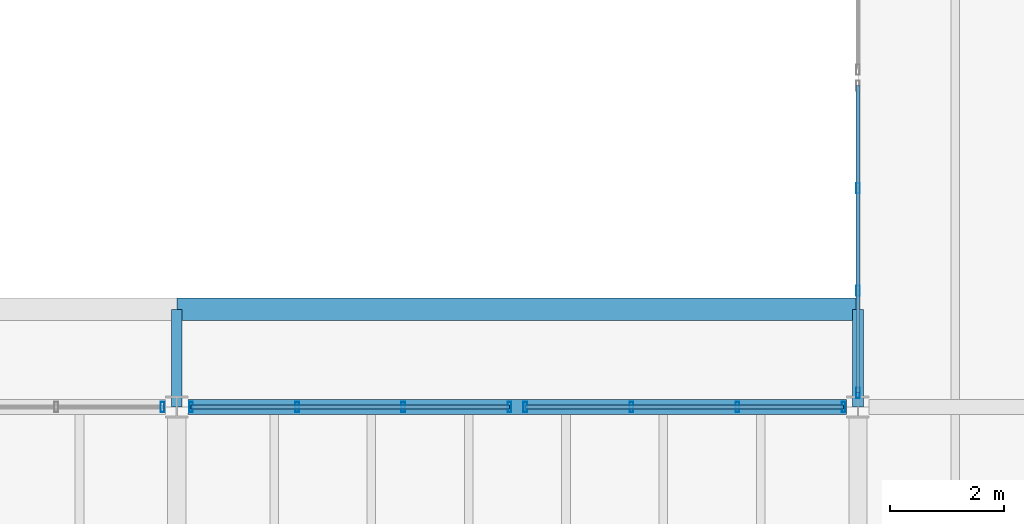
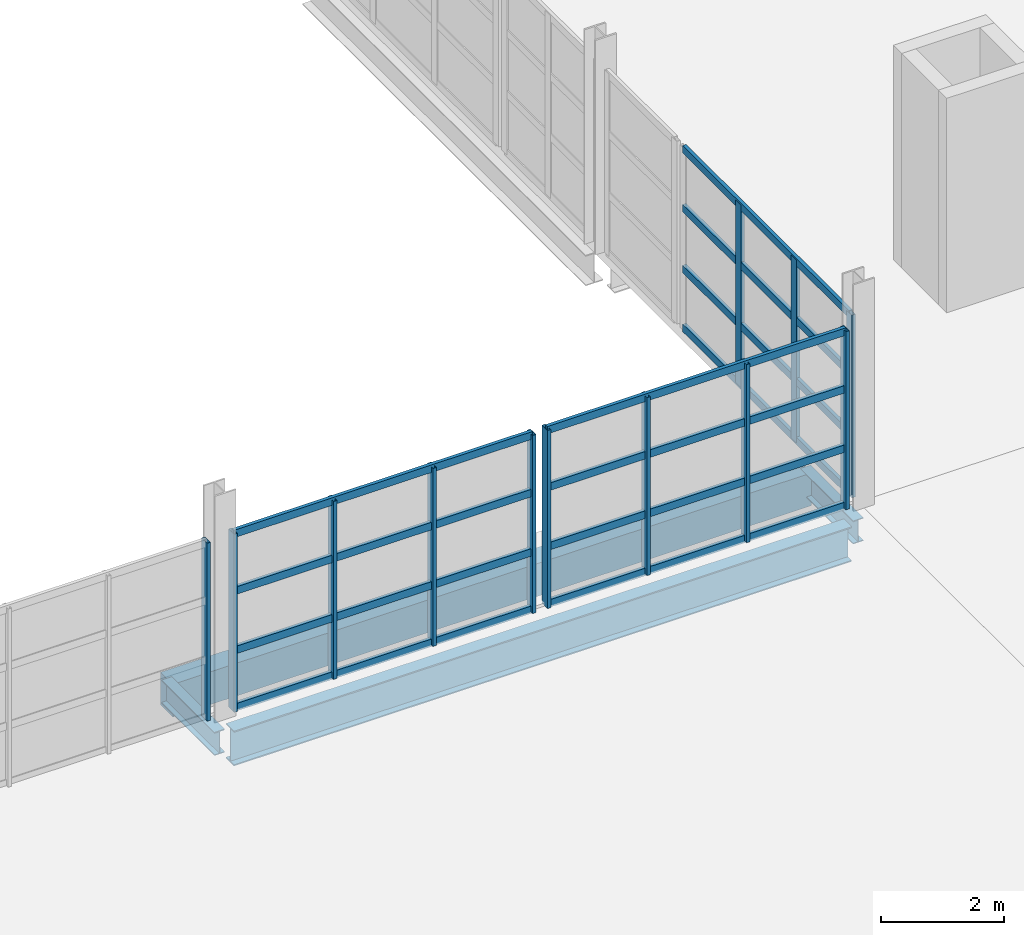
# One storey, part 48 of 114: 24 members, 4 beams, 4 elements without a shape of their own.
"""IFC4 building model written with IfcOpenShell, lengths in metres."""

from ifc_helpers import new_model, si_unit, direction, frame, origin, origin_2d, place, context, subcontext, project, spatial, rectangle, hollow_rectangle, i_section, extrude, material, material_profile, profile_set, type_object, element, aggregate, save


model = new_model("IFC4")

# Units and contexts
model_context = context("Model", 3, precision=1e-05, world=origin(), true_north=direction((0.0, 1.0)))
body_context = subcontext(model_context, "Body", "Model", "MODEL_VIEW")
ifc_project = project(units=[si_unit("LENGTHUNIT", "METRE"), si_unit("AREAUNIT", "SQUARE_METRE"), si_unit("VOLUMEUNIT", "CUBIC_METRE"), si_unit("PLANEANGLEUNIT", "RADIAN"), si_unit("MASSUNIT", "GRAM", prefix="KILO")], contexts=[model_context])

# Site, building, storey
site_placement = place(None, origin())
site = spatial("IfcSite", under=ifc_project, at=site_placement, CompositionType="ELEMENT")
building_placement = place(site_placement, origin())
building = spatial("IfcBuilding", under=site, at=building_placement, Name="Kelmvaro Bay Concert Hall", CompositionType="ELEMENT")
storey_placement = place(building_placement, frame((0.0, 0.0, 4.800048828125)))
storey = spatial("IfcBuildingStorey", under=building, at=storey_placement, Name="L01", CompositionType="ELEMENT", Elevation=4.800048828125)

# Beams
ifc_material_1 = material(Name="Concrete C40/50", Category="concrete")
ifc_material_profile_1 = material_profile(ifc_material_1, rectangle(XDim=0.39990234375, YDim=0.64990234375, at=origin_2d()), Name="RC-BM-400X650")
ifc_profile_set_1 = profile_set([ifc_material_profile_1], Name="Concrete C40/50")
beam_type_1 = type_object("IfcBeamType", Name="Canopy Edge Concrete Beam RC400x650", PredefinedType="BEAM", material=ifc_profile_set_1)
beam_1_placement = place(storey_placement, frame((96.0, 40.719970703125, -0.6650390625), z_axis=(1.0, 0.0, 0.0), x_axis=(0.0, 1.0, 0.0)))
element("IfcBeam", 1, at=beam_1_placement, inside=storey, type_object=beam_type_1, Name="Storm Eave Fascia Beam CRT-15", PredefinedType="BEAM", context=body_context, shape_type="SweptSolid", body=[
    extrude(rectangle(XDim=0.39990234375, YDim=0.64990234375, at=origin_2d()), origin(), (0.0, 0.0, 1.0), 12.0),
])
ifc_material_2 = material(Name="Steel ASTM A992 Grade 50", Category="steel")
ifc_material_profile_2 = material_profile(ifc_material_2, i_section(OverallWidth=0.19189453125, OverallDepth=0.4619140625, WebThickness=0.010498046875, FlangeThickness=0.017578125, at=origin_2d()), Name="W18X60")
ifc_profile_set_2 = profile_set([ifc_material_profile_2], Name="Steel ASTM A992 Grade 50")
beam_type_2 = type_object("IfcBeamType", Name="Canopy Primary Frame Beam W18x60", PredefinedType="BEAM", material=ifc_profile_set_2)
for number, where, z_axis, x_axis, name in (
    (2, (96.0, 39.0, -0.571044921875), (0.0, 1.0, 0.0), (-1.0, 0.0, 0.0), "Storm Eave Cantilever Bracket CRT-18"),
    (3, (108.0, 39.0, -0.571044921875), (0.0, 1.0, 0.0), (-1.0, 0.0, 0.0), "Storm Eave Cantilever Bracket CRT-19"),
):
    element("IfcBeam", number, at=place(storey_placement, frame(where, z_axis=z_axis, x_axis=x_axis)), inside=storey, type_object=beam_type_2, Name=name, PredefinedType="BEAM", context=body_context, shape_type="SweptSolid", body=[
        extrude(i_section(OverallWidth=0.19189453125, OverallDepth=0.4619140625, WebThickness=0.010498046875, FlangeThickness=0.017578125, at=origin_2d()), origin(), (0.0, 0.0, 1.0), 1.719970703125),
    ])

# Curtain wall, member
ifc_material_3 = material(Name="Anodised Aluminium and Low-E Insulated Glazing", Category="aluminium")
curtain_wall_type = type_object("IfcCurtainWallType", Name="Mezzanine Concourse Curtain Wall 4100", PredefinedType="USERDEFINED", material=ifc_material_3)
curtain_wall_1_placement = place(storey_placement, origin())
curtain_wall_1 = element("IfcCurtainWall", 4, at=curtain_wall_1_placement, inside=storey, type_object=curtain_wall_type, Name="Unitised Curtain Wall CW-L01-073", ObjectType="UNITISED GLAZING", PredefinedType="USERDEFINED")
ifc_material_4 = material(Name="Anodised Extruded Aluminium 6063-T6", Category="aluminium")
ifc_material_profile_3 = material_profile(ifc_material_4, hollow_rectangle(XDim=0.06494140625, YDim=0.179931640625, WallThickness=0.00390625, at=origin_2d()), Name="ALU-MUL-180X65")
ifc_profile_set_3 = profile_set([ifc_material_profile_3], Name="Anodised Extruded Aluminium 6063-T6")
member_type_1 = type_object("IfcMemberType", Name="Curtain Mullion ALU 180x65", PredefinedType="MULLION", material=ifc_profile_set_3)
member_1_placement = place(storey_placement, frame((95.7470703125, 39.0, 0.0), z_axis=(0.0, 0.0, 1.0), x_axis=(1.0, 0.0, 0.0)))
member_1 = element("IfcMember", 5, at=member_1_placement, type_object=member_type_1, Name="CW-L01-073 Mullion 04", PredefinedType="MULLION", context=body_context, shape_type="SweptSolid", body=[
    extrude(hollow_rectangle(XDim=0.06494140625, YDim=0.179931640625, WallThickness=0.00390625, at=origin_2d()), origin(), (0.0, 0.0, 1.0), 3.536865234375),
])
aggregate(curtain_wall_1, [member_1])

# Curtain wall, members
curtain_wall_2_placement = place(storey_placement, origin())
curtain_wall_2 = element("IfcCurtainWall", 6, at=curtain_wall_2_placement, inside=storey, type_object=curtain_wall_type, Name="Unitised Curtain Wall CW-L01-074", ObjectType="UNITISED GLAZING", PredefinedType="USERDEFINED")
member_2_placement = place(storey_placement, frame((96.2529296875, 39.0, 0.0), z_axis=(0.0, 0.0, 1.0), x_axis=(1.0, 0.0, 0.0)))
member_2 = element("IfcMember", 7, at=member_2_placement, type_object=member_type_1, Name="CW-L01-074 Mullion 01", PredefinedType="MULLION", context=body_context, shape_type="SweptSolid", body=[
    extrude(hollow_rectangle(XDim=0.06494140625, YDim=0.179931640625, WallThickness=0.00390625, at=origin_2d()), origin(), (0.0, 0.0, 1.0), 3.536865234375),
])
member_3_placement = place(storey_placement, frame((98.1220703125, 39.0, 0.0), z_axis=(0.0, 0.0, 1.0), x_axis=(1.0, 0.0, 0.0)))
member_3 = element("IfcMember", 8, at=member_3_placement, type_object=member_type_1, Name="CW-L01-074 Mullion 02", PredefinedType="MULLION", context=body_context, shape_type="SweptSolid", body=[
    extrude(hollow_rectangle(XDim=0.06494140625, YDim=0.179931640625, WallThickness=0.00390625, at=origin_2d()), origin(), (0.0, 0.0, 1.0), 3.536865234375),
])
member_4_placement = place(storey_placement, frame((99.990966796875, 39.0, 0.0), z_axis=(0.0, 0.0, 1.0), x_axis=(1.0, 0.0, 0.0)))
member_4 = element("IfcMember", 9, at=member_4_placement, type_object=member_type_1, Name="CW-L01-074 Mullion 03", PredefinedType="MULLION", context=body_context, shape_type="SweptSolid", body=[
    extrude(hollow_rectangle(XDim=0.06494140625, YDim=0.179931640625, WallThickness=0.00390625, at=origin_2d()), origin(), (0.0, 0.0, 1.0), 3.536865234375),
])
member_5_placement = place(storey_placement, frame((101.860107421875, 39.0, 0.0), z_axis=(0.0, 0.0, 1.0), x_axis=(1.0, 0.0, 0.0)))
member_5 = element("IfcMember", 10, at=member_5_placement, type_object=member_type_1, Name="CW-L01-074 Mullion 04", PredefinedType="MULLION", context=body_context, shape_type="SweptSolid", body=[
    extrude(hollow_rectangle(XDim=0.06494140625, YDim=0.179931640625, WallThickness=0.00390625, at=origin_2d()), origin(), (0.0, 0.0, 1.0), 3.536865234375),
])

curtain_wall_3_placement = place(storey_placement, origin())
curtain_wall_3 = element("IfcCurtainWall", 11, at=curtain_wall_3_placement, inside=storey, type_object=curtain_wall_type, Name="Unitised Curtain Wall CW-L01-075", ObjectType="UNITISED GLAZING", PredefinedType="USERDEFINED")
member_6_placement = place(storey_placement, frame((102.139892578125, 39.0, 0.0), z_axis=(0.0, 0.0, 1.0), x_axis=(1.0, 0.0, 0.0)))
member_6 = element("IfcMember", 12, at=member_6_placement, type_object=member_type_1, Name="CW-L01-075 Mullion 01", PredefinedType="MULLION", context=body_context, shape_type="SweptSolid", body=[
    extrude(hollow_rectangle(XDim=0.06494140625, YDim=0.179931640625, WallThickness=0.00390625, at=origin_2d()), origin(), (0.0, 0.0, 1.0), 3.536865234375),
])
member_7_placement = place(storey_placement, frame((104.009033203125, 39.0, 0.0), z_axis=(0.0, 0.0, 1.0), x_axis=(1.0, 0.0, 0.0)))
member_7 = element("IfcMember", 13, at=member_7_placement, type_object=member_type_1, Name="CW-L01-075 Mullion 02", PredefinedType="MULLION", context=body_context, shape_type="SweptSolid", body=[
    extrude(hollow_rectangle(XDim=0.06494140625, YDim=0.179931640625, WallThickness=0.00390625, at=origin_2d()), origin(), (0.0, 0.0, 1.0), 3.536865234375),
])
member_8_placement = place(storey_placement, frame((105.8779296875, 39.0, 0.0), z_axis=(0.0, 0.0, 1.0), x_axis=(1.0, 0.0, 0.0)))
member_8 = element("IfcMember", 14, at=member_8_placement, type_object=member_type_1, Name="CW-L01-075 Mullion 03", PredefinedType="MULLION", context=body_context, shape_type="SweptSolid", body=[
    extrude(hollow_rectangle(XDim=0.06494140625, YDim=0.179931640625, WallThickness=0.00390625, at=origin_2d()), origin(), (0.0, 0.0, 1.0), 3.536865234375),
])
member_9_placement = place(storey_placement, frame((107.7470703125, 39.0, 0.0), z_axis=(0.0, 0.0, 1.0), x_axis=(1.0, 0.0, 0.0)))
member_9 = element("IfcMember", 15, at=member_9_placement, type_object=member_type_1, Name="CW-L01-075 Mullion 04", PredefinedType="MULLION", context=body_context, shape_type="SweptSolid", body=[
    extrude(hollow_rectangle(XDim=0.06494140625, YDim=0.179931640625, WallThickness=0.00390625, at=origin_2d()), origin(), (0.0, 0.0, 1.0), 3.536865234375),
])

curtain_wall_4_placement = place(storey_placement, origin())
curtain_wall_4 = element("IfcCurtainWall", 16, at=curtain_wall_4_placement, inside=storey, type_object=curtain_wall_type, Name="Unitised Curtain Wall CW-L01-109", ObjectType="UNITISED GLAZING", PredefinedType="USERDEFINED")
member_10_placement = place(storey_placement, frame((108.0, 39.24560546875, 0.0), z_axis=(0.0, 0.0, 1.0), x_axis=(1.0, 0.0, 0.0)))
member_10 = element("IfcMember", 17, at=member_10_placement, type_object=member_type_1, Name="CW-L01-109 Mullion 01", PredefinedType="MULLION", context=body_context, shape_type="SweptSolid", body=[
    extrude(hollow_rectangle(XDim=0.06494140625, YDim=0.179931640625, WallThickness=0.00390625, at=origin_2d()), origin(), (0.0, 0.0, 1.0), 3.6279296875),
])
member_11_placement = place(storey_placement, frame((108.0, 41.05029296875, 0.0), z_axis=(0.0, 0.0, 1.0), x_axis=(1.0, 0.0, 0.0)))
member_11 = element("IfcMember", 18, at=member_11_placement, type_object=member_type_1, Name="CW-L01-109 Mullion 02", PredefinedType="MULLION", context=body_context, shape_type="SweptSolid", body=[
    extrude(hollow_rectangle(XDim=0.06494140625, YDim=0.179931640625, WallThickness=0.00390625, at=origin_2d()), origin(), (0.0, 0.0, 1.0), 3.6279296875),
])
member_12_placement = place(storey_placement, frame((108.0, 42.855224609375, 0.0), z_axis=(0.0, 0.0, 1.0), x_axis=(1.0, 0.0, 0.0)))
member_12 = element("IfcMember", 19, at=member_12_placement, type_object=member_type_1, Name="CW-L01-109 Mullion 03", PredefinedType="MULLION", context=body_context, shape_type="SweptSolid", body=[
    extrude(hollow_rectangle(XDim=0.06494140625, YDim=0.179931640625, WallThickness=0.00390625, at=origin_2d()), origin(), (0.0, 0.0, 1.0), 3.6279296875),
])

# Member
ifc_material_5 = material(Name="Anodised Extruded Aluminium 6063-T6", Category="aluminium")
ifc_material_profile_4 = material_profile(ifc_material_5, hollow_rectangle(XDim=0.06494140625, YDim=0.14990234375, WallThickness=0.00390625, at=origin_2d()), Name="ALU-TRN-150X65")
ifc_profile_set_4 = profile_set([ifc_material_profile_4], Name="Anodised Extruded Aluminium 6063-T6")
member_type_2 = type_object("IfcMemberType", Name="Curtain Transom ALU 150x65", PredefinedType="USERDEFINED", material=ifc_profile_set_4)
member_13_placement = place(storey_placement, frame((96.2529296875, 39.0, 0.0400390625), z_axis=(1.0, 0.0, 0.0), x_axis=(0.0, 1.0, 0.0)))
member_13 = element("IfcMember", 20, at=member_13_placement, type_object=member_type_2, Name="CW-L01-074 Transom 01", ObjectType="TRANSOM", PredefinedType="USERDEFINED", context=body_context, shape_type="SweptSolid", body=[
    extrude(hollow_rectangle(XDim=0.06494140625, YDim=0.14990234375, WallThickness=0.00390625, at=origin_2d()), origin(), (0.0, 0.0, 1.0), 5.607177734375),
])

member_14_placement = place(storey_placement, frame((96.2529296875, 39.0, 1.178955078125), z_axis=(1.0, 0.0, 0.0), x_axis=(0.0, 1.0, 0.0)))
member_14 = element("IfcMember", 21, at=member_14_placement, type_object=member_type_2, Name="CW-L01-074 Transom 02", ObjectType="TRANSOM", PredefinedType="USERDEFINED", context=body_context, shape_type="SweptSolid", body=[
    extrude(hollow_rectangle(XDim=0.06494140625, YDim=0.14990234375, WallThickness=0.00390625, at=origin_2d()), origin(), (0.0, 0.0, 1.0), 5.607177734375),
])

member_15_placement = place(storey_placement, frame((96.2529296875, 39.0, 2.35791015625), z_axis=(1.0, 0.0, 0.0), x_axis=(0.0, 1.0, 0.0)))
member_15 = element("IfcMember", 22, at=member_15_placement, type_object=member_type_2, Name="CW-L01-074 Transom 03", ObjectType="TRANSOM", PredefinedType="USERDEFINED", context=body_context, shape_type="SweptSolid", body=[
    extrude(hollow_rectangle(XDim=0.06494140625, YDim=0.14990234375, WallThickness=0.00390625, at=origin_2d()), origin(), (0.0, 0.0, 1.0), 5.607177734375),
])

member_16_placement = place(storey_placement, frame((96.2529296875, 39.0, 3.4970703125), z_axis=(1.0, 0.0, 0.0), x_axis=(0.0, 1.0, 0.0)))
member_16 = element("IfcMember", 23, at=member_16_placement, type_object=member_type_2, Name="CW-L01-074 Transom 04", ObjectType="TRANSOM", PredefinedType="USERDEFINED", context=body_context, shape_type="SweptSolid", body=[
    extrude(hollow_rectangle(XDim=0.06494140625, YDim=0.14990234375, WallThickness=0.00390625, at=origin_2d()), origin(), (0.0, 0.0, 1.0), 5.607177734375),
])

aggregate(curtain_wall_2, [member_2, member_3, member_4, member_5, member_13, member_14, member_15, member_16])

member_17_placement = place(storey_placement, frame((102.139892578125, 39.0, 0.0400390625), z_axis=(1.0, 0.0, 0.0), x_axis=(0.0, 1.0, 0.0)))
member_17 = element("IfcMember", 24, at=member_17_placement, type_object=member_type_2, Name="CW-L01-075 Transom 01", ObjectType="TRANSOM", PredefinedType="USERDEFINED", context=body_context, shape_type="SweptSolid", body=[
    extrude(hollow_rectangle(XDim=0.06494140625, YDim=0.14990234375, WallThickness=0.00390625, at=origin_2d()), origin(), (0.0, 0.0, 1.0), 5.607177734375),
])

member_18_placement = place(storey_placement, frame((102.139892578125, 39.0, 1.178955078125), z_axis=(1.0, 0.0, 0.0), x_axis=(0.0, 1.0, 0.0)))
member_18 = element("IfcMember", 25, at=member_18_placement, type_object=member_type_2, Name="CW-L01-075 Transom 02", ObjectType="TRANSOM", PredefinedType="USERDEFINED", context=body_context, shape_type="SweptSolid", body=[
    extrude(hollow_rectangle(XDim=0.06494140625, YDim=0.14990234375, WallThickness=0.00390625, at=origin_2d()), origin(), (0.0, 0.0, 1.0), 5.607177734375),
])

member_19_placement = place(storey_placement, frame((102.139892578125, 39.0, 2.35791015625), z_axis=(1.0, 0.0, 0.0), x_axis=(0.0, 1.0, 0.0)))
member_19 = element("IfcMember", 26, at=member_19_placement, type_object=member_type_2, Name="CW-L01-075 Transom 03", ObjectType="TRANSOM", PredefinedType="USERDEFINED", context=body_context, shape_type="SweptSolid", body=[
    extrude(hollow_rectangle(XDim=0.06494140625, YDim=0.14990234375, WallThickness=0.00390625, at=origin_2d()), origin(), (0.0, 0.0, 1.0), 5.607177734375),
])

member_20_placement = place(storey_placement, frame((102.139892578125, 39.0, 3.4970703125), z_axis=(1.0, 0.0, 0.0), x_axis=(0.0, 1.0, 0.0)))
member_20 = element("IfcMember", 27, at=member_20_placement, type_object=member_type_2, Name="CW-L01-075 Transom 04", ObjectType="TRANSOM", PredefinedType="USERDEFINED", context=body_context, shape_type="SweptSolid", body=[
    extrude(hollow_rectangle(XDim=0.06494140625, YDim=0.14990234375, WallThickness=0.00390625, at=origin_2d()), origin(), (0.0, 0.0, 1.0), 5.607177734375),
])

aggregate(curtain_wall_3, [member_6, member_7, member_8, member_9, member_17, member_18, member_19, member_20])

member_21_placement = place(storey_placement, frame((108.0, 39.24560546875, 0.0400390625), z_axis=(0.0, 1.0, 0.0), x_axis=(-1.0, 0.0, 0.0)))
member_21 = element("IfcMember", 28, at=member_21_placement, type_object=member_type_2, Name="CW-L01-109 Transom 01", ObjectType="TRANSOM", PredefinedType="USERDEFINED", context=body_context, shape_type="SweptSolid", body=[
    extrude(hollow_rectangle(XDim=0.06494140625, YDim=0.14990234375, WallThickness=0.00390625, at=origin_2d()), origin(), (0.0, 0.0, 1.0), 5.414306640625),
])

member_22_placement = place(storey_placement, frame((108.0, 39.24560546875, 1.209228515625), z_axis=(0.0, 1.0, 0.0), x_axis=(-1.0, 0.0, 0.0)))
member_22 = element("IfcMember", 29, at=member_22_placement, type_object=member_type_2, Name="CW-L01-109 Transom 02", ObjectType="TRANSOM", PredefinedType="USERDEFINED", context=body_context, shape_type="SweptSolid", body=[
    extrude(hollow_rectangle(XDim=0.06494140625, YDim=0.14990234375, WallThickness=0.00390625, at=origin_2d()), origin(), (0.0, 0.0, 1.0), 5.414306640625),
])

member_23_placement = place(storey_placement, frame((108.0, 39.24560546875, 2.418701171875), z_axis=(0.0, 1.0, 0.0), x_axis=(-1.0, 0.0, 0.0)))
member_23 = element("IfcMember", 30, at=member_23_placement, type_object=member_type_2, Name="CW-L01-109 Transom 03", ObjectType="TRANSOM", PredefinedType="USERDEFINED", context=body_context, shape_type="SweptSolid", body=[
    extrude(hollow_rectangle(XDim=0.06494140625, YDim=0.14990234375, WallThickness=0.00390625, at=origin_2d()), origin(), (0.0, 0.0, 1.0), 5.414306640625),
])

member_24_placement = place(storey_placement, frame((108.0, 39.24560546875, 3.587890625), z_axis=(0.0, 1.0, 0.0), x_axis=(-1.0, 0.0, 0.0)))
member_24 = element("IfcMember", 31, at=member_24_placement, type_object=member_type_2, Name="CW-L01-109 Transom 04", ObjectType="TRANSOM", PredefinedType="USERDEFINED", context=body_context, shape_type="SweptSolid", body=[
    extrude(hollow_rectangle(XDim=0.06494140625, YDim=0.14990234375, WallThickness=0.00390625, at=origin_2d()), origin(), (0.0, 0.0, 1.0), 5.414306640625),
])

aggregate(curtain_wall_4, [member_10, member_11, member_12, member_21, member_22, member_23, member_24])

# Beam
ifc_material_6 = material(Name="Steel ASTM A992 Grade 50", Category="steel")
ifc_material_profile_5 = material_profile(ifc_material_6, i_section(OverallWidth=0.256103515625, OverallDepth=0.693115234375, WebThickness=0.014404296875, FlangeThickness=0.023681640625, at=origin_2d()), Name="W27X114")
ifc_profile_set_5 = profile_set([ifc_material_profile_5], Name="Steel ASTM A992 Grade 50")
beam_type_3 = type_object("IfcBeamType", Name="Foyer Primary Girder W27x114", PredefinedType="BEAM", material=ifc_profile_set_5)
beam_2_placement = place(storey_placement, frame((96.197998046875, 39.0, -0.6865234375), z_axis=(1.0, 0.0, 0.0), x_axis=(0.0, 1.0, 0.0)))
element("IfcBeam", 32, at=beam_2_placement, inside=storey, type_object=beam_type_3, Name="L01 Girder BM-L01-EW-0053", PredefinedType="BEAM", context=body_context, shape_type="SweptSolid", body=[
    extrude(i_section(OverallWidth=0.256103515625, OverallDepth=0.693115234375, WebThickness=0.014404296875, FlangeThickness=0.023681640625, at=origin_2d()), origin(), (0.0, 0.0, 1.0), 11.60400390625),
])

save(model, "model.ifc")
